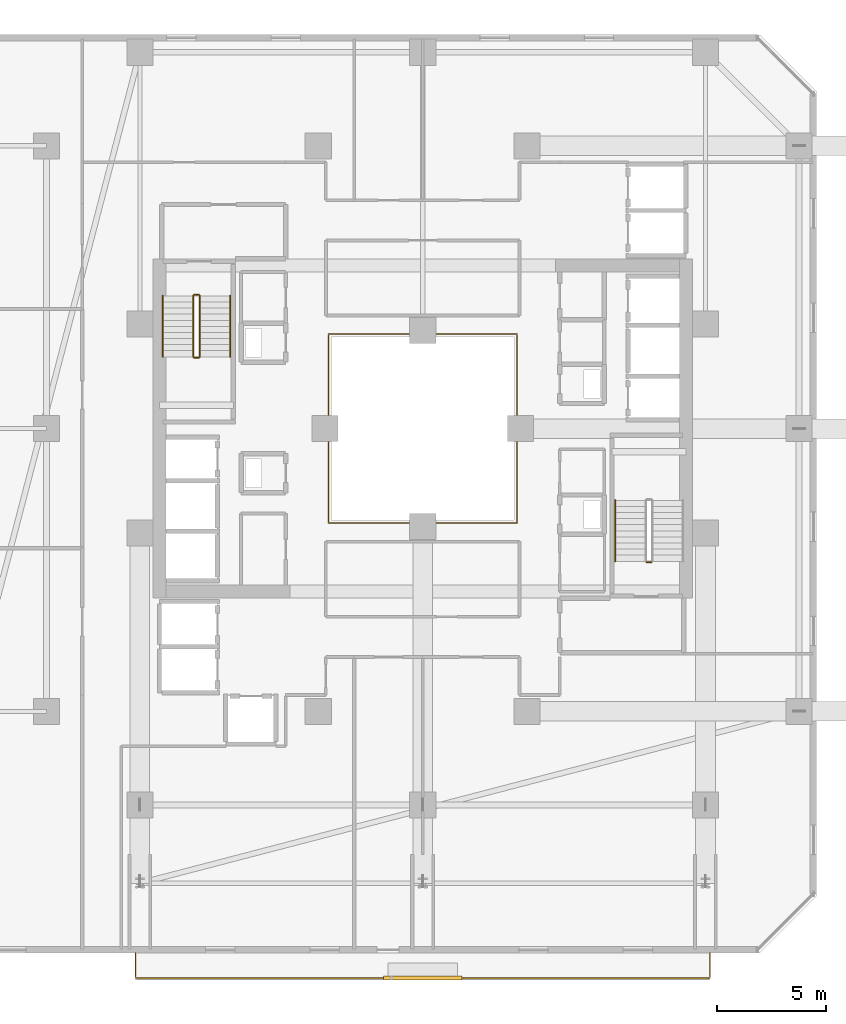
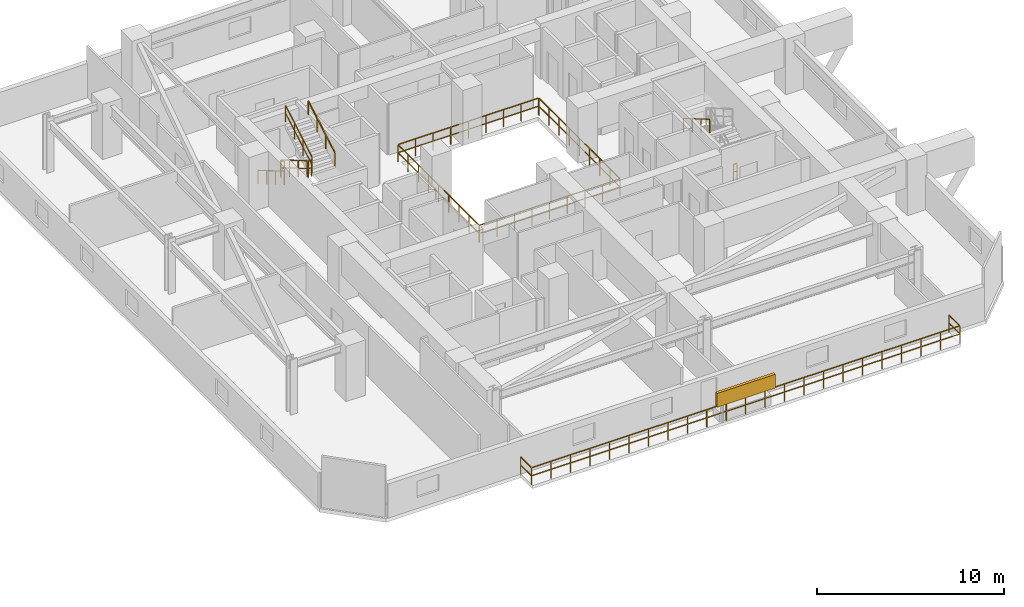
# One storey, part 35 of 36: 10 railings, 1 shading device.
"""IFC4 building model written with IfcOpenShell, lengths in metres."""

from ifc_helpers import new_model, si_unit, direction, frame, origin, origin_2d, place, context, subcontext, project, spatial, rectangle, extrude, material, type_object, element, save


model = new_model("IFC4")

# Units and contexts
model_context = context("Model", 3, precision=1e-05, world=origin(), true_north=direction((0.0, 1.0)))
body_context = subcontext(model_context, "Body", "Model", "MODEL_VIEW")
ifc_project = project(units=[si_unit("LENGTHUNIT", "METRE"), si_unit("AREAUNIT", "SQUARE_METRE"), si_unit("VOLUMEUNIT", "CUBIC_METRE"), si_unit("PLANEANGLEUNIT", "RADIAN"), si_unit("MASSUNIT", "GRAM", prefix="KILO")], contexts=[model_context])

# Site, building, storey
site_placement = place(None, origin())
site = spatial("IfcSite", under=ifc_project, at=site_placement, CompositionType="ELEMENT")
building_placement = place(site_placement, origin())
building = spatial("IfcBuilding", under=site, at=building_placement, Name="Thornwick Lancets Civic Towers", CompositionType="ELEMENT")
storey_placement = place(building_placement, frame((0.0, 0.0, 116.10009765625)))
storey = spatial("IfcBuildingStorey", under=building, at=storey_placement, Name="L30", CompositionType="ELEMENT", Elevation=116.10009765625)

# Railings
ifc_material_1 = material(Name="Laminated glass and bronze steel S355", Category="steel")
railing_type_1 = type_object("IfcRailingType", Name="RAIL_ATRIUM_GUARD", PredefinedType="BALUSTRADE", material=ifc_material_1)
railing_1_placement = place(storey_placement, frame((84.159912109375, 22.659912109375, 0.0)))
element("IfcRailing", 1, at=railing_1_placement, inside=storey, type_object=railing_type_1, Name="L30 Tower B Central Atrium Guard Balustrade", PredefinedType="BALUSTRADE", context=body_context, shape_type="SweptSolid", body=[
    extrude(rectangle(XDim=0.048095703125, YDim=0.048095703125, at=origin_2d()), frame((0.0, 0.0, 1.1259765625), z_axis=(1.0, 0.0, 0.0), x_axis=(0.0, 1.0, 0.0)), (0.0, 0.0, 1.0), 8.64892578125),
    extrude(rectangle(XDim=0.0419921875, YDim=0.0419921875, at=origin_2d()), frame((0.03759765625, 0.0, 0.597900390625), z_axis=(1.0, 0.0, 0.0), x_axis=(0.0, 1.0, 0.0)), (0.0, 0.0, 1.0), 1.010009765625),
    extrude(rectangle(XDim=0.0419921875, YDim=0.0419921875, at=origin_2d()), frame((1.12255859375, 0.0, 0.597900390625), z_axis=(1.0, 0.0, 0.0), x_axis=(0.0, 1.0, 0.0)), (0.0, 0.0, 1.0), 1.010009765625),
    extrude(rectangle(XDim=0.0419921875, YDim=0.0419921875, at=origin_2d()), frame((2.20751953125, 0.0, 0.597900390625), z_axis=(1.0, 0.0, 0.0), x_axis=(0.0, 1.0, 0.0)), (0.0, 0.0, 1.0), 1.010009765625),
    extrude(rectangle(XDim=0.0419921875, YDim=0.0419921875, at=origin_2d()), frame((3.29248046875, 0.0, 0.597900390625), z_axis=(1.0, 0.0, 0.0), x_axis=(0.0, 1.0, 0.0)), (0.0, 0.0, 1.0), 1.010009765625),
    extrude(rectangle(XDim=0.0419921875, YDim=0.0419921875, at=origin_2d()), frame((4.377685546875, 0.0, 0.597900390625), z_axis=(1.0, 0.0, 0.0), x_axis=(0.0, 1.0, 0.0)), (0.0, 0.0, 1.0), 1.010009765625),
    extrude(rectangle(XDim=0.0419921875, YDim=0.0419921875, at=origin_2d()), frame((5.462646484375, 0.0, 0.597900390625), z_axis=(1.0, 0.0, 0.0), x_axis=(0.0, 1.0, 0.0)), (0.0, 0.0, 1.0), 1.010009765625),
    extrude(rectangle(XDim=0.0419921875, YDim=0.0419921875, at=origin_2d()), frame((6.547607421875, 0.0, 0.597900390625), z_axis=(1.0, 0.0, 0.0), x_axis=(0.0, 1.0, 0.0)), (0.0, 0.0, 1.0), 1.010009765625),
    extrude(rectangle(XDim=0.0419921875, YDim=0.0419921875, at=origin_2d()), frame((7.632568359375, 0.0, 0.597900390625), z_axis=(1.0, 0.0, 0.0), x_axis=(0.0, 1.0, 0.0)), (0.0, 0.0, 1.0), 1.010009765625),
    extrude(rectangle(XDim=0.048095703125, YDim=0.048095703125, at=origin_2d()), frame((8.68017578125, 0.03125, 1.1259765625), z_axis=(0.0, 1.0, 0.0), x_axis=(-1.0, 0.0, 0.0)), (0.0, 0.0, 1.0), 8.61767578125),
    extrude(rectangle(XDim=0.0419921875, YDim=0.0419921875, at=origin_2d()), frame((8.68017578125, 0.03759765625, 0.597900390625), z_axis=(0.0, 1.0, 0.0), x_axis=(-1.0, 0.0, 0.0)), (0.0, 0.0, 1.0), 1.010009765625),
    extrude(rectangle(XDim=0.0419921875, YDim=0.0419921875, at=origin_2d()), frame((8.68017578125, 1.12255859375, 0.597900390625), z_axis=(0.0, 1.0, 0.0), x_axis=(-1.0, 0.0, 0.0)), (0.0, 0.0, 1.0), 1.010009765625),
    extrude(rectangle(XDim=0.0419921875, YDim=0.0419921875, at=origin_2d()), frame((8.68017578125, 2.20751953125, 0.597900390625), z_axis=(0.0, 1.0, 0.0), x_axis=(-1.0, 0.0, 0.0)), (0.0, 0.0, 1.0), 1.010009765625),
    extrude(rectangle(XDim=0.0419921875, YDim=0.0419921875, at=origin_2d()), frame((8.68017578125, 3.29248046875, 0.597900390625), z_axis=(0.0, 1.0, 0.0), x_axis=(-1.0, 0.0, 0.0)), (0.0, 0.0, 1.0), 1.010009765625),
    extrude(rectangle(XDim=0.0419921875, YDim=0.0419921875, at=origin_2d()), frame((8.68017578125, 4.377685546875, 0.597900390625), z_axis=(0.0, 1.0, 0.0), x_axis=(-1.0, 0.0, 0.0)), (0.0, 0.0, 1.0), 1.010009765625),
    extrude(rectangle(XDim=0.0419921875, YDim=0.0419921875, at=origin_2d()), frame((8.68017578125, 5.462646484375, 0.597900390625), z_axis=(0.0, 1.0, 0.0), x_axis=(-1.0, 0.0, 0.0)), (0.0, 0.0, 1.0), 1.010009765625),
    extrude(rectangle(XDim=0.0419921875, YDim=0.0419921875, at=origin_2d()), frame((8.68017578125, 6.547607421875, 0.597900390625), z_axis=(0.0, 1.0, 0.0), x_axis=(-1.0, 0.0, 0.0)), (0.0, 0.0, 1.0), 1.010009765625),
    extrude(rectangle(XDim=0.0419921875, YDim=0.0419921875, at=origin_2d()), frame((8.68017578125, 7.632568359375, 0.597900390625), z_axis=(0.0, 1.0, 0.0), x_axis=(-1.0, 0.0, 0.0)), (0.0, 0.0, 1.0), 1.010009765625),
    extrude(rectangle(XDim=0.048095703125, YDim=0.048095703125, at=origin_2d()), frame((8.64892578125, 8.68017578125, 1.1259765625), z_axis=(-1.0, 0.0, 0.0), x_axis=(0.0, -1.0, 0.0)), (0.0, 0.0, 1.0), 8.61767578125),
    extrude(rectangle(XDim=0.0419921875, YDim=0.0419921875, at=origin_2d()), frame((8.642578125, 8.68017578125, 0.597900390625), z_axis=(-1.0, 0.0, 0.0), x_axis=(0.0, -1.0, 0.0)), (0.0, 0.0, 1.0), 1.010009765625),
    extrude(rectangle(XDim=0.0419921875, YDim=0.0419921875, at=origin_2d()), frame((7.5576171875, 8.68017578125, 0.597900390625), z_axis=(-1.0, 0.0, 0.0), x_axis=(0.0, -1.0, 0.0)), (0.0, 0.0, 1.0), 1.010009765625),
    extrude(rectangle(XDim=0.0419921875, YDim=0.0419921875, at=origin_2d()), frame((6.47265625, 8.68017578125, 0.597900390625), z_axis=(-1.0, 0.0, 0.0), x_axis=(0.0, -1.0, 0.0)), (0.0, 0.0, 1.0), 1.010009765625),
    extrude(rectangle(XDim=0.0419921875, YDim=0.0419921875, at=origin_2d()), frame((5.3876953125, 8.68017578125, 0.597900390625), z_axis=(-1.0, 0.0, 0.0), x_axis=(0.0, -1.0, 0.0)), (0.0, 0.0, 1.0), 1.010009765625),
    extrude(rectangle(XDim=0.0419921875, YDim=0.0419921875, at=origin_2d()), frame((4.302490234375, 8.68017578125, 0.597900390625), z_axis=(-1.0, 0.0, 0.0), x_axis=(0.0, -1.0, 0.0)), (0.0, 0.0, 1.0), 1.010009765625),
    extrude(rectangle(XDim=0.0419921875, YDim=0.0419921875, at=origin_2d()), frame((3.217529296875, 8.68017578125, 0.597900390625), z_axis=(-1.0, 0.0, 0.0), x_axis=(0.0, -1.0, 0.0)), (0.0, 0.0, 1.0), 1.010009765625),
    extrude(rectangle(XDim=0.0419921875, YDim=0.0419921875, at=origin_2d()), frame((2.132568359375, 8.68017578125, 0.597900390625), z_axis=(-1.0, 0.0, 0.0), x_axis=(0.0, -1.0, 0.0)), (0.0, 0.0, 1.0), 1.010009765625),
    extrude(rectangle(XDim=0.0419921875, YDim=0.0419921875, at=origin_2d()), frame((1.047607421875, 8.68017578125, 0.597900390625), z_axis=(-1.0, 0.0, 0.0), x_axis=(0.0, -1.0, 0.0)), (0.0, 0.0, 1.0), 1.010009765625),
    extrude(rectangle(XDim=0.048095703125, YDim=0.048095703125, at=origin_2d()), frame((0.0, 8.64892578125, 1.1259765625), z_axis=(0.0, -1.0, 0.0), x_axis=(1.0, 0.0, 0.0)), (0.0, 0.0, 1.0), 8.64892578125),
    extrude(rectangle(XDim=0.0419921875, YDim=0.0419921875, at=origin_2d()), frame((0.0, 8.642578125, 0.597900390625), z_axis=(0.0, -1.0, 0.0), x_axis=(1.0, 0.0, 0.0)), (0.0, 0.0, 1.0), 1.010009765625),
    extrude(rectangle(XDim=0.0419921875, YDim=0.0419921875, at=origin_2d()), frame((0.0, 7.5576171875, 0.597900390625), z_axis=(0.0, -1.0, 0.0), x_axis=(1.0, 0.0, 0.0)), (0.0, 0.0, 1.0), 1.010009765625),
    extrude(rectangle(XDim=0.0419921875, YDim=0.0419921875, at=origin_2d()), frame((0.0, 6.47265625, 0.597900390625), z_axis=(0.0, -1.0, 0.0), x_axis=(1.0, 0.0, 0.0)), (0.0, 0.0, 1.0), 1.010009765625),
    extrude(rectangle(XDim=0.0419921875, YDim=0.0419921875, at=origin_2d()), frame((0.0, 5.3876953125, 0.597900390625), z_axis=(0.0, -1.0, 0.0), x_axis=(1.0, 0.0, 0.0)), (0.0, 0.0, 1.0), 1.010009765625),
    extrude(rectangle(XDim=0.0419921875, YDim=0.0419921875, at=origin_2d()), frame((0.0, 4.302490234375, 0.597900390625), z_axis=(0.0, -1.0, 0.0), x_axis=(1.0, 0.0, 0.0)), (0.0, 0.0, 1.0), 1.010009765625),
    extrude(rectangle(XDim=0.0419921875, YDim=0.0419921875, at=origin_2d()), frame((0.0, 3.217529296875, 0.597900390625), z_axis=(0.0, -1.0, 0.0), x_axis=(1.0, 0.0, 0.0)), (0.0, 0.0, 1.0), 1.010009765625),
    extrude(rectangle(XDim=0.0419921875, YDim=0.0419921875, at=origin_2d()), frame((0.0, 2.132568359375, 0.597900390625), z_axis=(0.0, -1.0, 0.0), x_axis=(1.0, 0.0, 0.0)), (0.0, 0.0, 1.0), 1.010009765625),
    extrude(rectangle(XDim=0.0419921875, YDim=0.0419921875, at=origin_2d()), frame((0.0, 1.047607421875, 0.597900390625), z_axis=(0.0, -1.0, 0.0), x_axis=(1.0, 0.0, 0.0)), (0.0, 0.0, 1.0), 1.010009765625),
    extrude(rectangle(XDim=0.0419921875, YDim=0.0419921875, at=origin_2d()), origin(), (0.0, 0.0, 1.0), 1.095703125),
    extrude(rectangle(XDim=0.0419921875, YDim=0.0419921875, at=origin_2d()), frame((1.0849609375, 0.0, 0.0)), (0.0, 0.0, 1.0), 1.095703125),
    extrude(rectangle(XDim=0.0419921875, YDim=0.0419921875, at=origin_2d()), frame((2.169921875, 0.0, 0.0)), (0.0, 0.0, 1.0), 1.095703125),
    extrude(rectangle(XDim=0.0419921875, YDim=0.0419921875, at=origin_2d()), frame((3.255126953125, 0.0, 0.0)), (0.0, 0.0, 1.0), 1.095703125),
    extrude(rectangle(XDim=0.0419921875, YDim=0.0419921875, at=origin_2d()), frame((4.340087890625, 0.0, 0.0)), (0.0, 0.0, 1.0), 1.095703125),
    extrude(rectangle(XDim=0.0419921875, YDim=0.0419921875, at=origin_2d()), frame((5.425048828125, 0.0, 0.0)), (0.0, 0.0, 1.0), 1.095703125),
    extrude(rectangle(XDim=0.0419921875, YDim=0.0419921875, at=origin_2d()), frame((6.51025390625, 0.0, 0.0)), (0.0, 0.0, 1.0), 1.095703125),
    extrude(rectangle(XDim=0.0419921875, YDim=0.0419921875, at=origin_2d()), frame((7.59521484375, 0.0, 0.0)), (0.0, 0.0, 1.0), 1.095703125),
    extrude(rectangle(XDim=0.0419921875, YDim=0.0419921875, at=origin_2d()), frame((8.68017578125, 0.0, 0.0)), (0.0, 0.0, 1.0), 1.095703125),
    extrude(rectangle(XDim=0.0419921875, YDim=0.0419921875, at=origin_2d()), frame((8.68017578125, 1.0849609375, 0.0)), (0.0, 0.0, 1.0), 1.095703125),
    extrude(rectangle(XDim=0.0419921875, YDim=0.0419921875, at=origin_2d()), frame((8.68017578125, 2.169921875, 0.0)), (0.0, 0.0, 1.0), 1.095703125),
    extrude(rectangle(XDim=0.0419921875, YDim=0.0419921875, at=origin_2d()), frame((8.68017578125, 3.255126953125, 0.0)), (0.0, 0.0, 1.0), 1.095703125),
    extrude(rectangle(XDim=0.0419921875, YDim=0.0419921875, at=origin_2d()), frame((8.68017578125, 4.340087890625, 0.0)), (0.0, 0.0, 1.0), 1.095703125),
    extrude(rectangle(XDim=0.0419921875, YDim=0.0419921875, at=origin_2d()), frame((8.68017578125, 5.425048828125, 0.0)), (0.0, 0.0, 1.0), 1.095703125),
    extrude(rectangle(XDim=0.0419921875, YDim=0.0419921875, at=origin_2d()), frame((8.68017578125, 6.51025390625, 0.0)), (0.0, 0.0, 1.0), 1.095703125),
    extrude(rectangle(XDim=0.0419921875, YDim=0.0419921875, at=origin_2d()), frame((8.68017578125, 7.59521484375, 0.0)), (0.0, 0.0, 1.0), 1.095703125),
    extrude(rectangle(XDim=0.0419921875, YDim=0.0419921875, at=origin_2d()), frame((8.68017578125, 8.68017578125, 0.0)), (0.0, 0.0, 1.0), 1.095703125),
    extrude(rectangle(XDim=0.0419921875, YDim=0.0419921875, at=origin_2d()), frame((7.59521484375, 8.68017578125, 0.0)), (0.0, 0.0, 1.0), 1.095703125),
    extrude(rectangle(XDim=0.0419921875, YDim=0.0419921875, at=origin_2d()), frame((6.51025390625, 8.68017578125, 0.0)), (0.0, 0.0, 1.0), 1.095703125),
    extrude(rectangle(XDim=0.0419921875, YDim=0.0419921875, at=origin_2d()), frame((5.425048828125, 8.68017578125, 0.0)), (0.0, 0.0, 1.0), 1.095703125),
    extrude(rectangle(XDim=0.0419921875, YDim=0.0419921875, at=origin_2d()), frame((4.340087890625, 8.68017578125, 0.0)), (0.0, 0.0, 1.0), 1.095703125),
    extrude(rectangle(XDim=0.0419921875, YDim=0.0419921875, at=origin_2d()), frame((3.255126953125, 8.68017578125, 0.0)), (0.0, 0.0, 1.0), 1.095703125),
    extrude(rectangle(XDim=0.0419921875, YDim=0.0419921875, at=origin_2d()), frame((2.169921875, 8.68017578125, 0.0)), (0.0, 0.0, 1.0), 1.095703125),
    extrude(rectangle(XDim=0.0419921875, YDim=0.0419921875, at=origin_2d()), frame((1.0849609375, 8.68017578125, 0.0)), (0.0, 0.0, 1.0), 1.095703125),
    extrude(rectangle(XDim=0.0419921875, YDim=0.0419921875, at=origin_2d()), frame((0.0, 8.68017578125, 0.0)), (0.0, 0.0, 1.0), 1.095703125),
    extrude(rectangle(XDim=0.0419921875, YDim=0.0419921875, at=origin_2d()), frame((0.0, 7.59521484375, 0.0)), (0.0, 0.0, 1.0), 1.095703125),
    extrude(rectangle(XDim=0.0419921875, YDim=0.0419921875, at=origin_2d()), frame((0.0, 6.51025390625, 0.0)), (0.0, 0.0, 1.0), 1.095703125),
    extrude(rectangle(XDim=0.0419921875, YDim=0.0419921875, at=origin_2d()), frame((0.0, 5.425048828125, 0.0)), (0.0, 0.0, 1.0), 1.095703125),
    extrude(rectangle(XDim=0.0419921875, YDim=0.0419921875, at=origin_2d()), frame((0.0, 4.340087890625, 0.0)), (0.0, 0.0, 1.0), 1.095703125),
    extrude(rectangle(XDim=0.0419921875, YDim=0.0419921875, at=origin_2d()), frame((0.0, 3.255126953125, 0.0)), (0.0, 0.0, 1.0), 1.095703125),
    extrude(rectangle(XDim=0.0419921875, YDim=0.0419921875, at=origin_2d()), frame((0.0, 2.169921875, 0.0)), (0.0, 0.0, 1.0), 1.095703125),
    extrude(rectangle(XDim=0.0419921875, YDim=0.0419921875, at=origin_2d()), frame((0.0, 1.0849609375, 0.0)), (0.0, 0.0, 1.0), 1.095703125),
])
ifc_material_2 = material(Name="Brushed stainless steel S355", Category="steel")
railing_type_2 = type_object("IfcRailingType", Name="RAIL_HANDRAIL", PredefinedType="HANDRAIL", material=ifc_material_2)
for number, where, name in (
    (2, (97.35009765625, 23.699951171875, 1.963623046875), "L30 ST-B1 stair handrail 2"),
    (3, (76.550048828125, 33.10009765625, 0.16357421875), "L30 ST-B2 stair handrail 1"),
):
    element("IfcRailing", number, at=place(storey_placement, frame(where)), inside=storey, type_object=railing_type_2, Name=name, PredefinedType="HANDRAIL", context=body_context, shape_type="SweptSolid", body=[
        extrude(rectangle(XDim=0.048095703125, YDim=0.048095703125, at=origin_2d()), frame((0.0, 0.0, 0.8857421875), z_axis=(0.0, -0.863393664356, 0.504530851732), x_axis=(1.0, 0.0, 0.0)), (0.0, 0.0, 1.0), 3.2431640625),
        extrude(rectangle(XDim=0.0419921875, YDim=0.0419921875, at=origin_2d()), origin(), (0.0, 0.0, 1.0), 0.855712890625),
        extrude(rectangle(XDim=0.0419921875, YDim=0.0419921875, at=origin_2d()), frame((0.0, -0.933349609375, 0.54541015625)), (0.0, 0.0, 1.0), 0.855712890625),
        extrude(rectangle(XDim=0.0419921875, YDim=0.0419921875, at=origin_2d()), frame((0.0, -1.86669921875, 1.0908203125)), (0.0, 0.0, 1.0), 0.855712890625),
        extrude(rectangle(XDim=0.0419921875, YDim=0.0419921875, at=origin_2d()), frame((0.0, -2.800048828125, 1.63623046875)), (0.0, 0.0, 1.0), 0.855712890625),
    ])
railing_2_placement = place(storey_placement, frame((79.64990234375, 30.300048828125, 1.963623046875)))
element("IfcRailing", 4, at=railing_2_placement, inside=storey, type_object=railing_type_2, Name="L30 ST-B2 stair handrail 2", PredefinedType="HANDRAIL", context=body_context, shape_type="SweptSolid", body=[
    extrude(rectangle(XDim=0.048095703125, YDim=0.048095703125, at=origin_2d()), frame((0.0, 0.0, 0.8857421875), z_axis=(0.0, 0.863393664356, 0.504530851732), x_axis=(-1.0, 0.0, 0.0)), (0.0, 0.0, 1.0), 3.2431640625),
    extrude(rectangle(XDim=0.0419921875, YDim=0.0419921875, at=origin_2d()), origin(), (0.0, 0.0, 1.0), 0.855712890625),
    extrude(rectangle(XDim=0.0419921875, YDim=0.0419921875, at=origin_2d()), frame((0.0, 0.933349609375, 0.54541015625)), (0.0, 0.0, 1.0), 0.855712890625),
    extrude(rectangle(XDim=0.0419921875, YDim=0.0419921875, at=origin_2d()), frame((0.0, 1.86669921875, 1.0908203125)), (0.0, 0.0, 1.0), 0.855712890625),
    extrude(rectangle(XDim=0.0419921875, YDim=0.0419921875, at=origin_2d()), frame((0.0, 2.800048828125, 1.63623046875)), (0.0, 0.0, 1.0), 0.855712890625),
])
ifc_material_3 = material(Name="Steel S355JR", Category="steel")
railing_type_3 = type_object("IfcRailingType", Name="RAIL_STAIR_GUARD", PredefinedType="GUARDRAIL", material=ifc_material_3)
railing_3_placement = place(storey_placement, frame((99.0, 20.85009765625, 0.0)))
element("IfcRailing", 5, at=railing_3_placement, inside=storey, type_object=railing_type_3, Name="L30 ST-B1 stair guard 4", PredefinedType="GUARDRAIL", context=body_context, shape_type="SweptSolid", body=[
    extrude(rectangle(XDim=0.048095703125, YDim=0.048095703125, at=origin_2d()), frame((0.0, 0.0, 1.076171875), z_axis=(-1.0, 0.0, 0.0), x_axis=(0.0, -1.0, 0.0)), (0.0, 0.0, 1.0), 0.199951171875),
    extrude(rectangle(XDim=0.0419921875, YDim=0.0419921875, at=origin_2d()), frame((-0.03759765625, 0.0, 0.572021484375), z_axis=(-1.0, 0.0, 0.0), x_axis=(0.0, -1.0, 0.0)), (0.0, 0.0, 1.0), 0.125),
    extrude(rectangle(XDim=0.0419921875, YDim=0.0419921875, at=origin_2d()), origin(), (0.0, 0.0, 1.0), 1.0458984375),
    extrude(rectangle(XDim=0.0419921875, YDim=0.0419921875, at=origin_2d()), frame((-0.199951171875, 0.0, 0.0)), (0.0, 0.0, 1.0), 1.0458984375),
])
railing_4_placement = place(storey_placement, frame((77.949951171875, 33.10009765625, 0.16357421875)))
element("IfcRailing", 6, at=railing_4_placement, inside=storey, type_object=railing_type_3, Name="L30 ST-B2 stair guard 1", PredefinedType="GUARDRAIL", context=body_context, shape_type="SweptSolid", body=[
    extrude(rectangle(XDim=0.048095703125, YDim=0.048095703125, at=origin_2d()), frame((0.0, 0.0, 1.076171875), z_axis=(0.0, -0.863393664356, 0.504530851732), x_axis=(1.0, 0.0, 0.0)), (0.0, 0.0, 1.0), 3.2431640625),
    extrude(rectangle(XDim=0.0419921875, YDim=0.0419921875, at=origin_2d()), frame((0.0, -0.032470703125, 0.591064453125), z_axis=(0.0, -0.863393664356, 0.504530851732), x_axis=(1.0, 0.0, 0.0)), (0.0, 0.0, 1.0), 1.006103515625),
    extrude(rectangle(XDim=0.0419921875, YDim=0.0419921875, at=origin_2d()), frame((0.0, -0.9658203125, 1.136474609375), z_axis=(0.0, -0.863393664356, 0.504530851732), x_axis=(1.0, 0.0, 0.0)), (0.0, 0.0, 1.0), 1.006103515625),
    extrude(rectangle(XDim=0.0419921875, YDim=0.0419921875, at=origin_2d()), frame((0.0, -1.899169921875, 1.681884765625), z_axis=(0.0, -0.863393664356, 0.504530851732), x_axis=(1.0, 0.0, 0.0)), (0.0, 0.0, 1.0), 1.006103515625),
    extrude(rectangle(XDim=0.0419921875, YDim=0.0419921875, at=origin_2d()), origin(), (0.0, 0.0, 1.0), 1.0458984375),
    extrude(rectangle(XDim=0.0419921875, YDim=0.0419921875, at=origin_2d()), frame((0.0, -0.933349609375, 0.54541015625)), (0.0, 0.0, 1.0), 1.0458984375),
    extrude(rectangle(XDim=0.0419921875, YDim=0.0419921875, at=origin_2d()), frame((0.0, -1.86669921875, 1.0908203125)), (0.0, 0.0, 1.0), 1.0458984375),
    extrude(rectangle(XDim=0.0419921875, YDim=0.0419921875, at=origin_2d()), frame((0.0, -2.800048828125, 1.63623046875)), (0.0, 0.0, 1.0), 1.0458984375),
])
railing_5_placement = place(storey_placement, frame((78.0, 30.25, 1.7998046875)))
element("IfcRailing", 7, at=railing_5_placement, inside=storey, type_object=railing_type_3, Name="L30 ST-B2 stair guard 2", PredefinedType="GUARDRAIL", context=body_context, shape_type="SweptSolid", body=[
    extrude(rectangle(XDim=0.048095703125, YDim=0.048095703125, at=origin_2d()), frame((0.0, 0.0, 1.076171875), z_axis=(1.0, 0.0, 0.0), x_axis=(0.0, 1.0, 0.0)), (0.0, 0.0, 1.0), 0.199951171875),
    extrude(rectangle(XDim=0.0419921875, YDim=0.0419921875, at=origin_2d()), frame((0.03759765625, 0.0, 0.572021484375), z_axis=(1.0, 0.0, 0.0), x_axis=(0.0, 1.0, 0.0)), (0.0, 0.0, 1.0), 0.125),
    extrude(rectangle(XDim=0.0419921875, YDim=0.0419921875, at=origin_2d()), origin(), (0.0, 0.0, 1.0), 1.0458984375),
    extrude(rectangle(XDim=0.0419921875, YDim=0.0419921875, at=origin_2d()), frame((0.199951171875, 0.0, 0.0)), (0.0, 0.0, 1.0), 1.0458984375),
])
railing_6_placement = place(storey_placement, frame((78.25, 30.300048828125, 1.963623046875)))
element("IfcRailing", 8, at=railing_6_placement, inside=storey, type_object=railing_type_3, Name="L30 ST-B2 stair guard 3", PredefinedType="GUARDRAIL", context=body_context, shape_type="SweptSolid", body=[
    extrude(rectangle(XDim=0.048095703125, YDim=0.048095703125, at=origin_2d()), frame((0.0, 0.0, 1.076171875), z_axis=(0.0, 0.863393664356, 0.504530851732), x_axis=(-1.0, 0.0, 0.0)), (0.0, 0.0, 1.0), 3.2431640625),
    extrude(rectangle(XDim=0.0419921875, YDim=0.0419921875, at=origin_2d()), frame((0.0, 0.032470703125, 0.591064453125), z_axis=(0.0, 0.863393664356, 0.504530851732), x_axis=(-1.0, 0.0, 0.0)), (0.0, 0.0, 1.0), 1.006103515625),
    extrude(rectangle(XDim=0.0419921875, YDim=0.0419921875, at=origin_2d()), frame((0.0, 0.9658203125, 1.136474609375), z_axis=(0.0, 0.863393664356, 0.504530851732), x_axis=(-1.0, 0.0, 0.0)), (0.0, 0.0, 1.0), 1.006103515625),
    extrude(rectangle(XDim=0.0419921875, YDim=0.0419921875, at=origin_2d()), frame((0.0, 1.899169921875, 1.681884765625), z_axis=(0.0, 0.863393664356, 0.504530851732), x_axis=(-1.0, 0.0, 0.0)), (0.0, 0.0, 1.0), 1.006103515625),
    extrude(rectangle(XDim=0.0419921875, YDim=0.0419921875, at=origin_2d()), origin(), (0.0, 0.0, 1.0), 1.0458984375),
    extrude(rectangle(XDim=0.0419921875, YDim=0.0419921875, at=origin_2d()), frame((0.0, 0.933349609375, 0.54541015625)), (0.0, 0.0, 1.0), 1.0458984375),
    extrude(rectangle(XDim=0.0419921875, YDim=0.0419921875, at=origin_2d()), frame((0.0, 1.86669921875, 1.0908203125)), (0.0, 0.0, 1.0), 1.0458984375),
    extrude(rectangle(XDim=0.0419921875, YDim=0.0419921875, at=origin_2d()), frame((0.0, 2.800048828125, 1.63623046875)), (0.0, 0.0, 1.0), 1.0458984375),
])
railing_7_placement = place(storey_placement, frame((78.0, 33.14990234375, 0.0)))
element("IfcRailing", 9, at=railing_7_placement, inside=storey, type_object=railing_type_3, Name="L30 ST-B2 stair guard 4", PredefinedType="GUARDRAIL", context=body_context, shape_type="SweptSolid", body=[
    extrude(rectangle(XDim=0.048095703125, YDim=0.048095703125, at=origin_2d()), frame((0.0, 0.0, 1.076171875), z_axis=(1.0, 0.0, 0.0), x_axis=(0.0, 1.0, 0.0)), (0.0, 0.0, 1.0), 0.199951171875),
    extrude(rectangle(XDim=0.0419921875, YDim=0.0419921875, at=origin_2d()), frame((0.03759765625, 0.0, 0.572021484375), z_axis=(1.0, 0.0, 0.0), x_axis=(0.0, 1.0, 0.0)), (0.0, 0.0, 1.0), 0.125),
    extrude(rectangle(XDim=0.0419921875, YDim=0.0419921875, at=origin_2d()), origin(), (0.0, 0.0, 1.0), 1.0458984375),
    extrude(rectangle(XDim=0.0419921875, YDim=0.0419921875, at=origin_2d()), frame((0.199951171875, 0.0, 0.0)), (0.0, 0.0, 1.0), 1.0458984375),
])
ifc_material_4 = material(Name="Terracotta-capped laminated glass balustrade S355", Category="masonry")
railing_type_4 = type_object("IfcRailingType", Name="RAIL_TERR_GUARD", PredefinedType="GUARDRAIL", material=ifc_material_4)
railing_8_placement = place(storey_placement, frame((75.300048828125, 2.89990234375, 0.0)))
element("IfcRailing", 10, at=railing_8_placement, inside=storey, type_object=railing_type_4, Name="L30 Tower B Balcony Guard S", PredefinedType="GUARDRAIL", context=body_context, shape_type="SweptSolid", body=[
    extrude(rectangle(XDim=0.048095703125, YDim=0.048095703125, at=origin_2d()), frame((0.0, 0.0, 1.1259765625), z_axis=(0.0, -1.0, 0.0), x_axis=(1.0, 0.0, 0.0)), (0.0, 0.0, 1.0), 1.138671875),
    extrude(rectangle(XDim=0.0419921875, YDim=0.0419921875, at=origin_2d()), frame((0.0, -0.03759765625, 0.597900390625), z_axis=(0.0, -1.0, 0.0), x_axis=(1.0, 0.0, 0.0)), (0.0, 0.0, 1.0), 1.094970703125),
    extrude(rectangle(XDim=0.048095703125, YDim=0.048095703125, at=origin_2d()), frame((0.03125, -1.169921875, 1.1259765625), z_axis=(1.0, 0.0, 0.0), x_axis=(0.0, 1.0, 0.0)), (0.0, 0.0, 1.0), 26.33740234375),
    extrude(rectangle(XDim=0.0419921875, YDim=0.0419921875, at=origin_2d()), frame((0.03759765625, -1.169921875, 0.597900390625), z_axis=(1.0, 0.0, 0.0), x_axis=(0.0, 1.0, 0.0)), (0.0, 0.0, 1.0), 1.125),
    extrude(rectangle(XDim=0.0419921875, YDim=0.0419921875, at=origin_2d()), frame((1.237548828125, -1.169921875, 0.597900390625), z_axis=(1.0, 0.0, 0.0), x_axis=(0.0, 1.0, 0.0)), (0.0, 0.0, 1.0), 1.125),
    extrude(rectangle(XDim=0.0419921875, YDim=0.0419921875, at=origin_2d()), frame((2.4375, -1.169921875, 0.597900390625), z_axis=(1.0, 0.0, 0.0), x_axis=(0.0, 1.0, 0.0)), (0.0, 0.0, 1.0), 1.125),
    extrude(rectangle(XDim=0.0419921875, YDim=0.0419921875, at=origin_2d()), frame((3.637451171875, -1.169921875, 0.597900390625), z_axis=(1.0, 0.0, 0.0), x_axis=(0.0, 1.0, 0.0)), (0.0, 0.0, 1.0), 1.125),
    extrude(rectangle(XDim=0.0419921875, YDim=0.0419921875, at=origin_2d()), frame((4.83740234375, -1.169921875, 0.597900390625), z_axis=(1.0, 0.0, 0.0), x_axis=(0.0, 1.0, 0.0)), (0.0, 0.0, 1.0), 1.125),
    extrude(rectangle(XDim=0.0419921875, YDim=0.0419921875, at=origin_2d()), frame((6.037353515625, -1.169921875, 0.597900390625), z_axis=(1.0, 0.0, 0.0), x_axis=(0.0, 1.0, 0.0)), (0.0, 0.0, 1.0), 1.125),
    extrude(rectangle(XDim=0.0419921875, YDim=0.0419921875, at=origin_2d()), frame((7.237548828125, -1.169921875, 0.597900390625), z_axis=(1.0, 0.0, 0.0), x_axis=(0.0, 1.0, 0.0)), (0.0, 0.0, 1.0), 1.125),
    extrude(rectangle(XDim=0.0419921875, YDim=0.0419921875, at=origin_2d()), frame((8.4375, -1.169921875, 0.597900390625), z_axis=(1.0, 0.0, 0.0), x_axis=(0.0, 1.0, 0.0)), (0.0, 0.0, 1.0), 1.125),
    extrude(rectangle(XDim=0.0419921875, YDim=0.0419921875, at=origin_2d()), frame((9.637451171875, -1.169921875, 0.597900390625), z_axis=(1.0, 0.0, 0.0), x_axis=(0.0, 1.0, 0.0)), (0.0, 0.0, 1.0), 1.125),
    extrude(rectangle(XDim=0.0419921875, YDim=0.0419921875, at=origin_2d()), frame((10.83740234375, -1.169921875, 0.597900390625), z_axis=(1.0, 0.0, 0.0), x_axis=(0.0, 1.0, 0.0)), (0.0, 0.0, 1.0), 1.125),
    extrude(rectangle(XDim=0.0419921875, YDim=0.0419921875, at=origin_2d()), frame((12.037353515625, -1.169921875, 0.597900390625), z_axis=(1.0, 0.0, 0.0), x_axis=(0.0, 1.0, 0.0)), (0.0, 0.0, 1.0), 1.125),
    extrude(rectangle(XDim=0.0419921875, YDim=0.0419921875, at=origin_2d()), frame((13.237548828125, -1.169921875, 0.597900390625), z_axis=(1.0, 0.0, 0.0), x_axis=(0.0, 1.0, 0.0)), (0.0, 0.0, 1.0), 1.125),
    extrude(rectangle(XDim=0.0419921875, YDim=0.0419921875, at=origin_2d()), frame((14.4375, -1.169921875, 0.597900390625), z_axis=(1.0, 0.0, 0.0), x_axis=(0.0, 1.0, 0.0)), (0.0, 0.0, 1.0), 1.125),
    extrude(rectangle(XDim=0.0419921875, YDim=0.0419921875, at=origin_2d()), frame((15.637451171875, -1.169921875, 0.597900390625), z_axis=(1.0, 0.0, 0.0), x_axis=(0.0, 1.0, 0.0)), (0.0, 0.0, 1.0), 1.125),
    extrude(rectangle(XDim=0.0419921875, YDim=0.0419921875, at=origin_2d()), frame((16.83740234375, -1.169921875, 0.597900390625), z_axis=(1.0, 0.0, 0.0), x_axis=(0.0, 1.0, 0.0)), (0.0, 0.0, 1.0), 1.125),
    extrude(rectangle(XDim=0.0419921875, YDim=0.0419921875, at=origin_2d()), frame((18.037353515625, -1.169921875, 0.597900390625), z_axis=(1.0, 0.0, 0.0), x_axis=(0.0, 1.0, 0.0)), (0.0, 0.0, 1.0), 1.125),
    extrude(rectangle(XDim=0.0419921875, YDim=0.0419921875, at=origin_2d()), frame((19.2373046875, -1.169921875, 0.597900390625), z_axis=(1.0, 0.0, 0.0), x_axis=(0.0, 1.0, 0.0)), (0.0, 0.0, 1.0), 1.125),
    extrude(rectangle(XDim=0.0419921875, YDim=0.0419921875, at=origin_2d()), frame((20.4375, -1.169921875, 0.597900390625), z_axis=(1.0, 0.0, 0.0), x_axis=(0.0, 1.0, 0.0)), (0.0, 0.0, 1.0), 1.125),
    extrude(rectangle(XDim=0.0419921875, YDim=0.0419921875, at=origin_2d()), frame((21.637451171875, -1.169921875, 0.597900390625), z_axis=(1.0, 0.0, 0.0), x_axis=(0.0, 1.0, 0.0)), (0.0, 0.0, 1.0), 1.125),
    extrude(rectangle(XDim=0.0419921875, YDim=0.0419921875, at=origin_2d()), frame((22.83740234375, -1.169921875, 0.597900390625), z_axis=(1.0, 0.0, 0.0), x_axis=(0.0, 1.0, 0.0)), (0.0, 0.0, 1.0), 1.125),
    extrude(rectangle(XDim=0.0419921875, YDim=0.0419921875, at=origin_2d()), frame((24.037353515625, -1.169921875, 0.597900390625), z_axis=(1.0, 0.0, 0.0), x_axis=(0.0, 1.0, 0.0)), (0.0, 0.0, 1.0), 1.125),
    extrude(rectangle(XDim=0.0419921875, YDim=0.0419921875, at=origin_2d()), frame((25.2373046875, -1.169921875, 0.597900390625), z_axis=(1.0, 0.0, 0.0), x_axis=(0.0, 1.0, 0.0)), (0.0, 0.0, 1.0), 1.125),
    extrude(rectangle(XDim=0.048095703125, YDim=0.048095703125, at=origin_2d()), frame((26.39990234375, -1.138671875, 1.1259765625), z_axis=(0.0, 1.0, 0.0), x_axis=(-1.0, 0.0, 0.0)), (0.0, 0.0, 1.0), 1.138671875),
    extrude(rectangle(XDim=0.0419921875, YDim=0.0419921875, at=origin_2d()), frame((26.39990234375, -1.13232421875, 0.597900390625), z_axis=(0.0, 1.0, 0.0), x_axis=(-1.0, 0.0, 0.0)), (0.0, 0.0, 1.0), 1.094970703125),
    extrude(rectangle(XDim=0.0419921875, YDim=0.0419921875, at=origin_2d()), origin(), (0.0, 0.0, 1.0), 1.095703125),
    extrude(rectangle(XDim=0.0419921875, YDim=0.0419921875, at=origin_2d()), frame((0.0, -1.169921875, 0.0)), (0.0, 0.0, 1.0), 1.095703125),
    extrude(rectangle(XDim=0.0419921875, YDim=0.0419921875, at=origin_2d()), frame((1.199951171875, -1.169921875, 0.0)), (0.0, 0.0, 1.0), 1.095703125),
    extrude(rectangle(XDim=0.0419921875, YDim=0.0419921875, at=origin_2d()), frame((2.39990234375, -1.169921875, 0.0)), (0.0, 0.0, 1.0), 1.095703125),
    extrude(rectangle(XDim=0.0419921875, YDim=0.0419921875, at=origin_2d()), frame((3.60009765625, -1.169921875, 0.0)), (0.0, 0.0, 1.0), 1.095703125),
    extrude(rectangle(XDim=0.0419921875, YDim=0.0419921875, at=origin_2d()), frame((4.800048828125, -1.169921875, 0.0)), (0.0, 0.0, 1.0), 1.095703125),
    extrude(rectangle(XDim=0.0419921875, YDim=0.0419921875, at=origin_2d()), frame((6.0, -1.169921875, 0.0)), (0.0, 0.0, 1.0), 1.095703125),
    extrude(rectangle(XDim=0.0419921875, YDim=0.0419921875, at=origin_2d()), frame((7.199951171875, -1.169921875, 0.0)), (0.0, 0.0, 1.0), 1.095703125),
    extrude(rectangle(XDim=0.0419921875, YDim=0.0419921875, at=origin_2d()), frame((8.39990234375, -1.169921875, 0.0)), (0.0, 0.0, 1.0), 1.095703125),
    extrude(rectangle(XDim=0.0419921875, YDim=0.0419921875, at=origin_2d()), frame((9.599853515625, -1.169921875, 0.0)), (0.0, 0.0, 1.0), 1.095703125),
    extrude(rectangle(XDim=0.0419921875, YDim=0.0419921875, at=origin_2d()), frame((10.800048828125, -1.169921875, 0.0)), (0.0, 0.0, 1.0), 1.095703125),
    extrude(rectangle(XDim=0.0419921875, YDim=0.0419921875, at=origin_2d()), frame((12.0, -1.169921875, 0.0)), (0.0, 0.0, 1.0), 1.095703125),
    extrude(rectangle(XDim=0.0419921875, YDim=0.0419921875, at=origin_2d()), frame((13.199951171875, -1.169921875, 0.0)), (0.0, 0.0, 1.0), 1.095703125),
    extrude(rectangle(XDim=0.0419921875, YDim=0.0419921875, at=origin_2d()), frame((14.39990234375, -1.169921875, 0.0)), (0.0, 0.0, 1.0), 1.095703125),
    extrude(rectangle(XDim=0.0419921875, YDim=0.0419921875, at=origin_2d()), frame((15.599853515625, -1.169921875, 0.0)), (0.0, 0.0, 1.0), 1.095703125),
    extrude(rectangle(XDim=0.0419921875, YDim=0.0419921875, at=origin_2d()), frame((16.800048828125, -1.169921875, 0.0)), (0.0, 0.0, 1.0), 1.095703125),
    extrude(rectangle(XDim=0.0419921875, YDim=0.0419921875, at=origin_2d()), frame((18.0, -1.169921875, 0.0)), (0.0, 0.0, 1.0), 1.095703125),
    extrude(rectangle(XDim=0.0419921875, YDim=0.0419921875, at=origin_2d()), frame((19.199951171875, -1.169921875, 0.0)), (0.0, 0.0, 1.0), 1.095703125),
    extrude(rectangle(XDim=0.0419921875, YDim=0.0419921875, at=origin_2d()), frame((20.39990234375, -1.169921875, 0.0)), (0.0, 0.0, 1.0), 1.095703125),
    extrude(rectangle(XDim=0.0419921875, YDim=0.0419921875, at=origin_2d()), frame((21.599853515625, -1.169921875, 0.0)), (0.0, 0.0, 1.0), 1.095703125),
    extrude(rectangle(XDim=0.0419921875, YDim=0.0419921875, at=origin_2d()), frame((22.7998046875, -1.169921875, 0.0)), (0.0, 0.0, 1.0), 1.095703125),
    extrude(rectangle(XDim=0.0419921875, YDim=0.0419921875, at=origin_2d()), frame((24.0, -1.169921875, 0.0)), (0.0, 0.0, 1.0), 1.095703125),
    extrude(rectangle(XDim=0.0419921875, YDim=0.0419921875, at=origin_2d()), frame((25.199951171875, -1.169921875, 0.0)), (0.0, 0.0, 1.0), 1.095703125),
    extrude(rectangle(XDim=0.0419921875, YDim=0.0419921875, at=origin_2d()), frame((26.39990234375, -1.169921875, 0.0)), (0.0, 0.0, 1.0), 1.095703125),
    extrude(rectangle(XDim=0.0419921875, YDim=0.0419921875, at=origin_2d()), frame((26.39990234375, 0.0, 0.0)), (0.0, 0.0, 1.0), 1.095703125),
])

# Shading device
ifc_material_5 = material(Name="Extruded terracotta baguette solar screen", Category="masonry")
shading_device_type = type_object("IfcShadingDeviceType", Name="SHADE_BAGUETTE", PredefinedType="JALOUSIE", material=ifc_material_5)
shading_device_placement = place(storey_placement, frame((88.5, 1.739990234375, 1.119873046875), z_axis=(0.0, 0.0, 1.0), x_axis=(1.0, 0.0, 0.0)))
element("IfcShadingDevice", 11, at=shading_device_placement, inside=storey, type_object=shading_device_type, Name="L30 Tower B Terracotta Baguette Screen S", PredefinedType="JALOUSIE", context=body_context, shape_type="SweptSolid", body=[
    extrude(rectangle(XDim=3.60009765625, YDim=0.179931640625, at=origin_2d()), origin(), (0.0, 0.0, 1.0), 0.89990234375),
])

save(model, "model.ifc")
